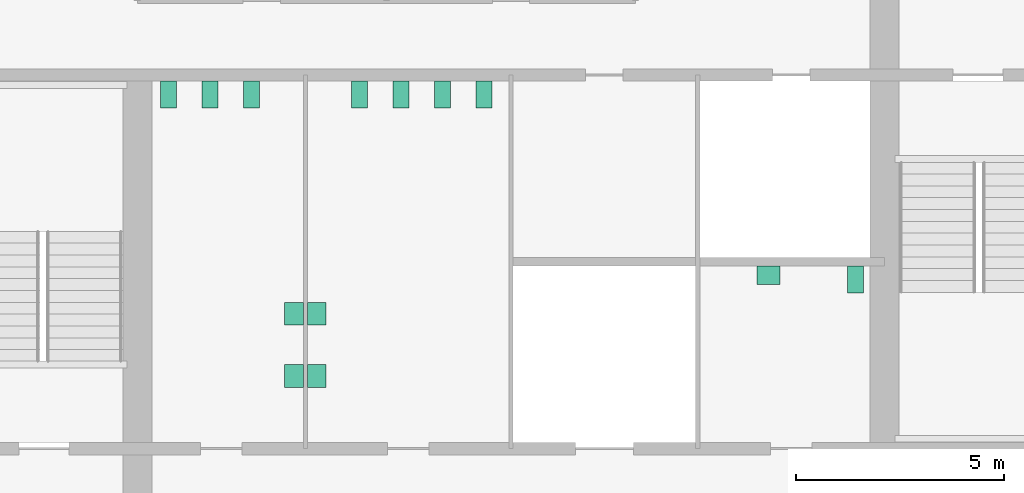
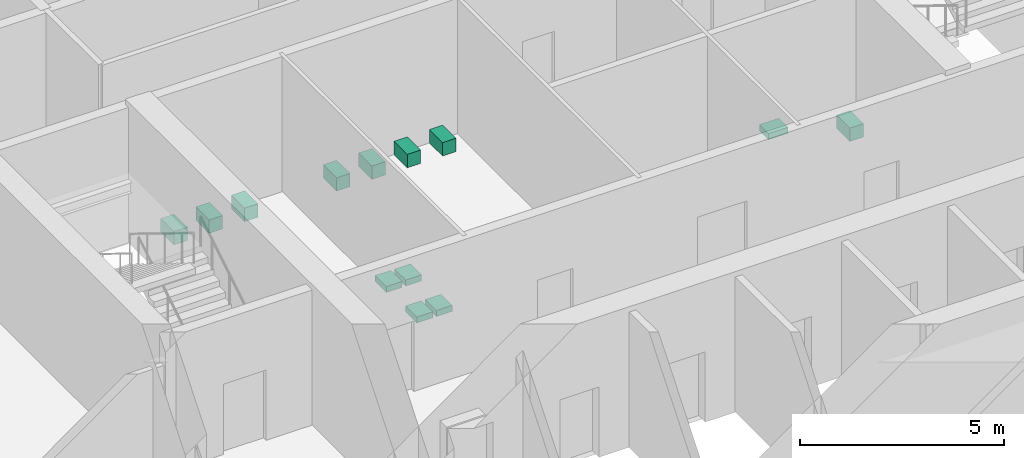
# One storey, part 12 of 12: 13 sanitary terminals.
"""IFC4 building model written with IfcOpenShell, lengths in metres."""

from ifc_helpers import new_model, si_unit, direction, frame, origin, origin_2d, place, context, subcontext, project, spatial, rectangle, extrude, material, type_object, element, save


model = new_model("IFC4")

# Units and contexts
model_context = context("Model", 3, precision=1e-05, world=origin(), true_north=direction((0.0, 1.0)))
body_context = subcontext(model_context, "Body", "Model", "MODEL_VIEW")
ifc_project = project(units=[si_unit("LENGTHUNIT", "METRE"), si_unit("AREAUNIT", "SQUARE_METRE"), si_unit("VOLUMEUNIT", "CUBIC_METRE"), si_unit("PLANEANGLEUNIT", "RADIAN"), si_unit("MASSUNIT", "GRAM", prefix="KILO")], contexts=[model_context])

# Site, building, storey
site_placement = place(None, origin())
site = spatial("IfcSite", under=ifc_project, at=site_placement, CompositionType="ELEMENT")
building_placement = place(site_placement, origin())
building = spatial("IfcBuilding", under=site, at=building_placement, Name="Corais Broadcast Tower", CompositionType="ELEMENT")
storey_placement = place(building_placement, frame((0.0, 0.0, 37.39990234375)))
storey = spatial("IfcBuildingStorey", under=building, at=storey_placement, Name="L07", CompositionType="ELEMENT", Elevation=37.39990234375)

# Sanitary terminals
ifc_material_1 = material(Name="Vitreous china", Category="ceramic")
sanitary_terminal_type_1 = type_object("IfcSanitaryTerminalType", Name="WC pan 380x650", PredefinedType="TOILETPAN", material=ifc_material_1)
for number, where, z_axis, x_axis, name in (
    (1, (18.75, 31.02490234375, 0.000244140625), (0.0, 0.0, 1.0), (1.0, 0.0, 0.0), "SW1 WC pan, male toilets L07"),
    (2, (19.75, 31.02490234375, 0.000244140625), (0.0, 0.0, 1.0), (1.0, 0.0, 0.0), "SW1 WC pan, male toilets L07"),
    (3, (20.75, 31.02490234375, 0.000244140625), (0.0, 0.0, 1.0), (1.0, 0.0, 0.0), "SW1 WC pan, male toilets L07"),
    (4, (23.35009765625, 31.02490234375, 0.000244140625), (0.0, 0.0, 1.0), (1.0, 0.0, 0.0), "SW1 WC pan, female toilets L07"),
    (5, (24.35009765625, 31.02490234375, 0.000244140625), (0.0, 0.0, 1.0), (1.0, 0.0, 0.0), "SW1 WC pan, female toilets L07"),
    (6, (25.35009765625, 31.02490234375, 0.000244140625), (0.0, 0.0, 1.0), (1.0, 0.0, 0.0), "SW1 WC pan, female toilets L07"),
    (7, (26.35009765625, 31.02490234375, 0.000244140625), (0.0, 0.0, 1.0), (1.0, 0.0, 0.0), "SW1 WC pan, female toilets L07"),
    (8, (35.300048828125, 26.574951171875, 0.000244140625), (0.0, 0.0, 1.0), (1.0, 0.0, 0.0), "SW1 WC pan, accessible WC L07"),
):
    element("IfcSanitaryTerminal", number, at=place(storey_placement, frame(where, z_axis=z_axis, x_axis=x_axis)), inside=storey, type_object=sanitary_terminal_type_1, Name=name, PredefinedType="TOILETPAN", context=body_context, shape_type="SweptSolid", body=[
        extrude(rectangle(XDim=0.3798828125, YDim=0.64990234375, at=origin_2d()), origin(), (0.0, 0.0, 1.0), 0.39990234375),
    ])
ifc_material_2 = material(Name="Vitreous china", Category="ceramic")
sanitary_terminal_type_2 = type_object("IfcSanitaryTerminalType", Name="Wash basin 550x450", PredefinedType="WASHHANDBASIN", material=ifc_material_2)
for number, where, z_axis, x_axis, name in (
    (9, (21.77490234375, 24.25, 0.7001953125), (0.0, 0.0, 1.0), (1.0, 0.0, 0.0), "WB1 wash basin, male toilets L07"),
    (10, (21.77490234375, 25.75, 0.7001953125), (0.0, 0.0, 1.0), (1.0, 0.0, 0.0), "WB1 wash basin, male toilets L07"),
    (11, (22.324951171875, 24.25, 0.7001953125), (0.0, 0.0, 1.0), (1.0, 0.0, 0.0), "WB1 wash basin, female toilets L07"),
    (12, (22.324951171875, 25.75, 0.7001953125), (0.0, 0.0, 1.0), (1.0, 0.0, 0.0), "WB1 wash basin, female toilets L07"),
):
    element("IfcSanitaryTerminal", number, at=place(storey_placement, frame(where, z_axis=z_axis, x_axis=x_axis)), inside=storey, type_object=sanitary_terminal_type_2, Name=name, PredefinedType="WASHHANDBASIN", context=body_context, shape_type="SweptSolid", body=[
        extrude(rectangle(XDim=0.449951171875, YDim=0.550048828125, at=origin_2d()), origin(), (0.0, 0.0, 1.0), 0.179931640625),
    ])
sanitary_terminal_placement = place(storey_placement, frame((33.199951171875, 26.675048828125, 0.7001953125), z_axis=(0.0, 0.0, 1.0), x_axis=(1.0, 0.0, 0.0)))
element("IfcSanitaryTerminal", 13, at=sanitary_terminal_placement, inside=storey, type_object=sanitary_terminal_type_2, Name="WB1 wash basin, accessible WC L07", PredefinedType="WASHHANDBASIN", context=body_context, shape_type="SweptSolid", body=[
    extrude(rectangle(XDim=0.550048828125, YDim=0.449951171875, at=origin_2d()), origin(), (0.0, 0.0, 1.0), 0.179931640625),
])

save(model, "model.ifc")
